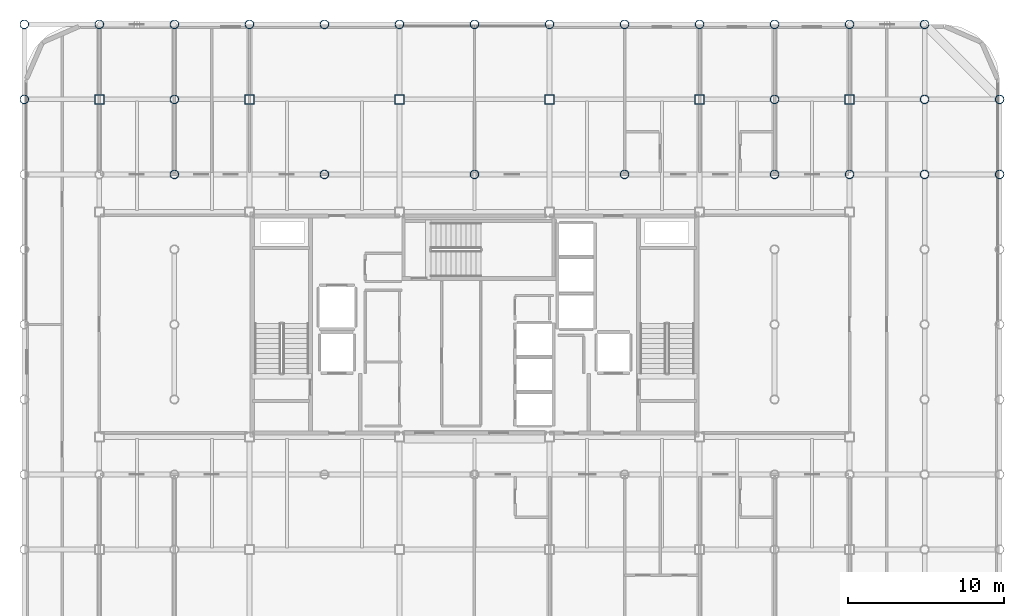
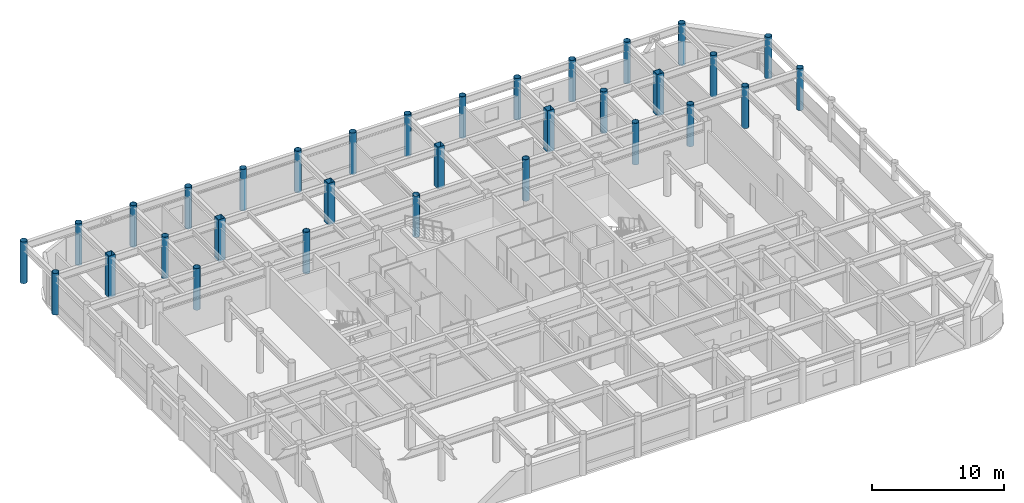
# One storey, part 2 of 22: 32 columns.
"""IFC4 building model written with IfcOpenShell, lengths in metres."""

from ifc_helpers import new_model, si_unit, direction, frame, origin, origin_2d, place, context, subcontext, project, spatial, hollow_rectangle, hollow_circle, extrude, material, material_profile, profile_set, type_object, element, save


model = new_model("IFC4")

# Units and contexts
model_context = context("Model", 3, precision=1e-05, world=origin(), true_north=direction((0.0, 1.0)))
body_context = subcontext(model_context, "Body", "Model", "MODEL_VIEW")
ifc_project = project(units=[si_unit("LENGTHUNIT", "METRE"), si_unit("AREAUNIT", "SQUARE_METRE"), si_unit("VOLUMEUNIT", "CUBIC_METRE"), si_unit("PLANEANGLEUNIT", "RADIAN"), si_unit("MASSUNIT", "GRAM", prefix="KILO")], contexts=[model_context])

# Site, building, storey
site_placement = place(None, origin())
site = spatial("IfcSite", under=ifc_project, at=site_placement, CompositionType="ELEMENT")
building_placement = place(site_placement, origin())
building = spatial("IfcBuilding", under=site, at=building_placement, Name="Kallvorn Hotel Tower", CompositionType="ELEMENT")
storey_placement = place(building_placement, frame((0.0, 0.0, 206.89990234375)))
storey = spatial("IfcBuildingStorey", under=building, at=storey_placement, Name="L51", CompositionType="ELEMENT", Elevation=206.89990234375)

# Columns
ifc_material_1 = material(Name="Structural steel S355J2H", Category="steel")
ifc_material_profile_1 = material_profile(ifc_material_1, hollow_circle(Radius=0.279541015625, WallThickness=0.02490234375, at=origin_2d()), Name="CHS 559x25")
ifc_profile_set_1 = profile_set([ifc_material_profile_1], Name="Structural steel S355J2H")
column_type_1 = type_object("IfcColumnType", Name="COL_CHS_559", PredefinedType="COLUMN", material=ifc_profile_set_1)
for number, where, z_axis, x_axis, name in (
    (1, (-28.800048828125, 14.39990234375, 0.0), (0.0, 0.0, 1.0), (1.0, 0.0, 0.0), "L51 Exoskeleton Column EC08"),
    (2, (-28.800048828125, 19.199951171875, 0.0), (0.0, 0.0, 1.0), (1.0, 0.0, 0.0), "L51 Exoskeleton Column EC09"),
    (3, (-24.0, 19.199951171875, 0.0), (0.0, 0.0, 1.0), (1.0, 0.0, 0.0), "L51 Exoskeleton Column EC14"),
    (4, (-19.199951171875, 9.60009765625, 0.0), (0.0, 0.0, 1.0), (1.0, 0.0, 0.0), "L51 Exoskeleton Column EC22"),
    (5, (-19.199951171875, 14.39990234375, 0.0), (0.0, 0.0, 1.0), (1.0, 0.0, 0.0), "L51 Exoskeleton Column EC23"),
    (6, (-19.199951171875, 19.199951171875, 0.0), (0.0, 0.0, 1.0), (1.0, 0.0, 0.0), "L51 Exoskeleton Column EC24"),
    (7, (-14.39990234375, 19.199951171875, 0.0), (0.0, 0.0, 1.0), (1.0, 0.0, 0.0), "L51 Exoskeleton Column EC27"),
    (8, (-9.60009765625, 9.60009765625, 0.0), (0.0, 0.0, 1.0), (1.0, 0.0, 0.0), "L51 Exoskeleton Column EC31"),
    (9, (-9.60009765625, 19.199951171875, 0.0), (0.0, 0.0, 1.0), (1.0, 0.0, 0.0), "L51 Exoskeleton Column EC32"),
    (10, (-4.800048828125, 19.199951171875, 0.0), (0.0, 0.0, 1.0), (1.0, 0.0, 0.0), "L51 Exoskeleton Column EC35"),
    (11, (0.0, 9.60009765625, 0.0), (0.0, 0.0, 1.0), (1.0, 0.0, 0.0), "L51 Exoskeleton Column EC39"),
    (12, (0.0, 19.199951171875, 0.0), (0.0, 0.0, 1.0), (1.0, 0.0, 0.0), "L51 Exoskeleton Column EC40"),
    (13, (4.800048828125, 19.199951171875, 0.0), (0.0, 0.0, 1.0), (1.0, 0.0, 0.0), "L51 Exoskeleton Column EC43"),
    (14, (9.60009765625, 9.60009765625, 0.0), (0.0, 0.0, 1.0), (1.0, 0.0, 0.0), "L51 Exoskeleton Column EC47"),
    (15, (9.60009765625, 19.199951171875, 0.0), (0.0, 0.0, 1.0), (1.0, 0.0, 0.0), "L51 Exoskeleton Column EC48"),
    (16, (14.39990234375, 19.199951171875, 0.0), (0.0, 0.0, 1.0), (1.0, 0.0, 0.0), "L51 Exoskeleton Column EC51"),
    (17, (19.199951171875, 9.60009765625, 0.0), (0.0, 0.0, 1.0), (1.0, 0.0, 0.0), "L51 Exoskeleton Column EC59"),
    (18, (19.199951171875, 14.39990234375, 0.0), (0.0, 0.0, 1.0), (1.0, 0.0, 0.0), "L51 Exoskeleton Column EC60"),
    (19, (19.199951171875, 19.199951171875, 0.0), (0.0, 0.0, 1.0), (1.0, 0.0, 0.0), "L51 Exoskeleton Column EC61"),
    (20, (24.0, 9.60009765625, 0.0), (0.0, 0.0, 1.0), (1.0, 0.0, 0.0), "L51 Exoskeleton Column EC65"),
    (21, (24.0, 19.199951171875, 0.0), (0.0, 0.0, 1.0), (1.0, 0.0, 0.0), "L51 Exoskeleton Column EC66"),
    (22, (28.800048828125, 9.60009765625, 0.0), (0.0, 0.0, 1.0), (1.0, 0.0, 0.0), "L51 Exoskeleton Column EC74"),
    (23, (28.800048828125, 14.39990234375, 0.0), (0.0, 0.0, 1.0), (1.0, 0.0, 0.0), "L51 Exoskeleton Column EC75"),
    (24, (28.800048828125, 19.199951171875, 0.0), (0.0, 0.0, 1.0), (1.0, 0.0, 0.0), "L51 Exoskeleton Column EC76"),
    (25, (33.60009765625, 9.60009765625, 0.0), (0.0, 0.0, 1.0), (1.0, 0.0, 0.0), "L51 Exoskeleton Column EC83"),
    (26, (33.60009765625, 14.39990234375, 0.0), (0.0, 0.0, 1.0), (1.0, 0.0, 0.0), "L51 Exoskeleton Column EC84"),
):
    element("IfcColumn", number, at=place(storey_placement, frame(where, z_axis=z_axis, x_axis=x_axis)), inside=storey, type_object=column_type_1, Name=name, PredefinedType="COLUMN", context=body_context, shape_type="SweptSolid", body=[
        extrude(hollow_circle(Radius=0.279541015625, WallThickness=0.02490234375, at=origin_2d()), origin(), (0.0, 0.0, 1.0), 3.85009765625),
    ])
ifc_material_2 = material(Name="Structural steel S355J2H", Category="steel")
ifc_material_profile_2 = material_profile(ifc_material_2, hollow_rectangle(XDim=0.60009765625, YDim=0.60009765625, WallThickness=0.028076171875, at=origin_2d()), Name="RHS 600x600x28")
ifc_profile_set_2 = profile_set([ifc_material_profile_2], Name="Structural steel S355J2H")
column_type_2 = type_object("IfcColumnType", Name="COL_RHS_600", PredefinedType="COLUMN", material=ifc_profile_set_2)
for number, where, z_axis, x_axis, name in (
    (27, (-24.0, 14.39990234375, 0.0), (0.0, 0.0, 1.0), (1.0, 0.0, 0.0), "L51 Inner Column IC04"),
    (28, (-14.39990234375, 14.39990234375, 0.0), (0.0, 0.0, 1.0), (1.0, 0.0, 0.0), "L51 Inner Column IC08"),
    (29, (-4.800048828125, 14.39990234375, 0.0), (0.0, 0.0, 1.0), (1.0, 0.0, 0.0), "L51 Inner Column IC12"),
    (30, (4.800048828125, 14.39990234375, 0.0), (0.0, 0.0, 1.0), (1.0, 0.0, 0.0), "L51 Inner Column IC16"),
    (31, (14.39990234375, 14.39990234375, 0.0), (0.0, 0.0, 1.0), (1.0, 0.0, 0.0), "L51 Inner Column IC20"),
    (32, (24.0, 14.39990234375, 0.0), (0.0, 0.0, 1.0), (1.0, 0.0, 0.0), "L51 Inner Column IC24"),
):
    element("IfcColumn", number, at=place(storey_placement, frame(where, z_axis=z_axis, x_axis=x_axis)), inside=storey, type_object=column_type_2, Name=name, PredefinedType="COLUMN", context=body_context, shape_type="SweptSolid", body=[
        extrude(hollow_rectangle(XDim=0.60009765625, YDim=0.60009765625, WallThickness=0.028076171875, at=origin_2d()), origin(), (0.0, 0.0, 1.0), 3.85009765625),
    ])

save(model, "model.ifc")
